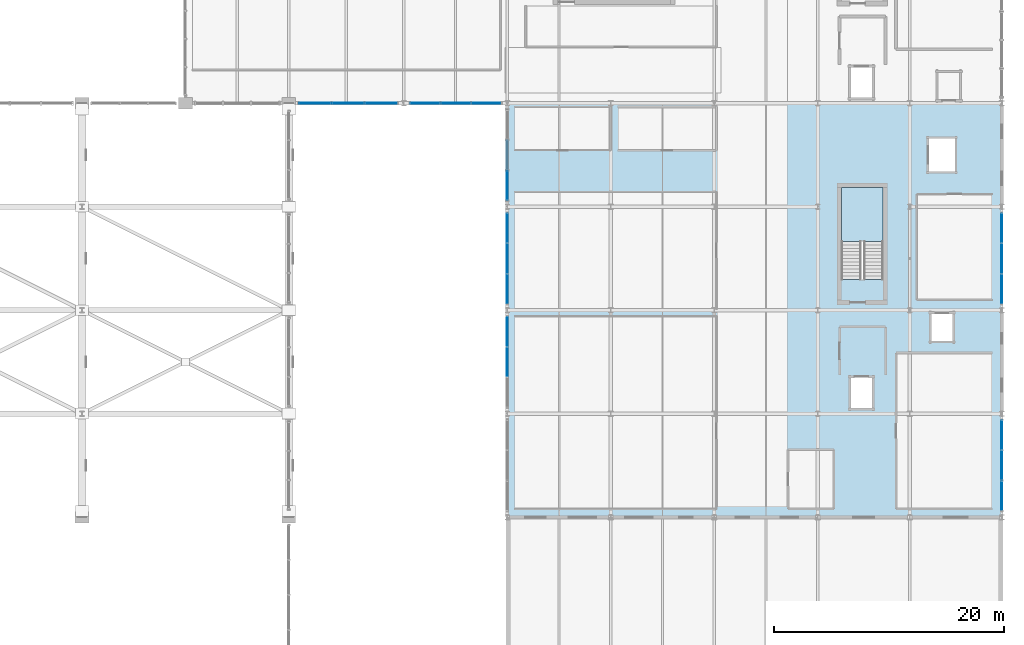
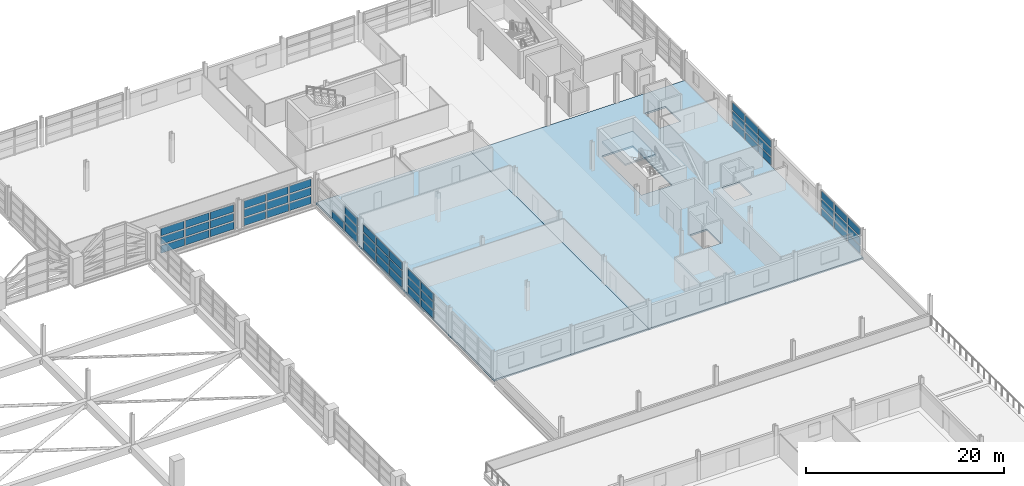
# One storey, part 95 of 116: 55 plates, 3 slabs, 8 elements without a shape of their own.
"""IFC4 building model written with IfcOpenShell, lengths in metres."""

from ifc_helpers import new_model, si_unit, direction, frame, origin, origin_2d, place, context, subcontext, project, spatial, polyline, rectangle, outline, extrude, material, layer, layer_set, type_object, element, aggregate, save


model = new_model("IFC4")

# Units and contexts
model_context = context("Model", 3, precision=1e-05, world=origin(), true_north=direction((0.0, 1.0)))
body_context = subcontext(model_context, "Body", "Model", "MODEL_VIEW")
ifc_project = project(units=[si_unit("LENGTHUNIT", "METRE"), si_unit("AREAUNIT", "SQUARE_METRE"), si_unit("VOLUMEUNIT", "CUBIC_METRE"), si_unit("PLANEANGLEUNIT", "RADIAN"), si_unit("MASSUNIT", "GRAM", prefix="KILO")], contexts=[model_context])

# Site, building, storey
site_placement = place(None, origin())
site = spatial("IfcSite", under=ifc_project, at=site_placement, CompositionType="ELEMENT")
building_placement = place(site_placement, origin())
building = spatial("IfcBuilding", under=site, at=building_placement, Name="Chuanluo Vaults Station", CompositionType="ELEMENT")
storey_placement = place(building_placement, frame((0.0, 0.0, 10.800048828125)))
storey = spatial("IfcBuildingStorey", under=building, at=storey_placement, Name="L02", CompositionType="ELEMENT", Elevation=10.800048828125)

# Curtain wall, plates
ifc_material_1 = material(Name="Anodised aluminium 6063-T6", Category="aluminium")
curtain_wall_type_1 = type_object("IfcCurtainWallType", Name="CW-SYS-03", PredefinedType="NOTDEFINED", material=ifc_material_1)
curtain_wall_1_placement = place(storey_placement, origin())
curtain_wall_1 = element("IfcCurtainWall", 1, at=curtain_wall_1_placement, inside=storey, type_object=curtain_wall_type_1, Name="Operations L02 facade CW", PredefinedType="NOTDEFINED")
ifc_material_2 = material(Name="Ceramic-fritted spandrel glass", Category="glass")
ifc_layer_1 = layer(ifc_material_2, 0.06396484375)
ifc_layer_set_1 = layer_set([ifc_layer_1], Name="Ceramic-fritted spandrel glass")
plate_type_1 = type_object("IfcPlateType", Name="CWP-SPN-42", PredefinedType="SHEET", material=ifc_layer_set_1)
plate_1_placement = place(storey_placement, frame((145.0, 81.0, 0.079833984375), z_axis=(0.0, 0.0, 1.0), x_axis=(0.0, 1.0, 0.0)))
plate_1 = element("IfcPlate", 2, at=plate_1_placement, type_object=plate_type_1, Name="Operations L02 facade CW glazed panel 2.1", PredefinedType="SHEET", context=body_context, shape_type="SweptSolid", body=[
    extrude(rectangle(XDim=2.489990234375, YDim=0.06396484375, at=origin_2d()), origin(), (0.0, 0.0, 1.0), 0.90673828125),
])
plate_2_placement = place(storey_placement, frame((145.0, 83.64990234375, 0.079833984375), z_axis=(0.0, 0.0, 1.0), x_axis=(0.0, 1.0, 0.0)))
plate_2 = element("IfcPlate", 3, at=plate_2_placement, type_object=plate_type_1, Name="Operations L02 facade CW glazed panel 3.1", PredefinedType="SHEET", context=body_context, shape_type="SweptSolid", body=[
    extrude(rectangle(XDim=2.489990234375, YDim=0.06396484375, at=origin_2d()), origin(), (0.0, 0.0, 1.0), 0.90673828125),
])

ifc_material_3 = material(Name="Anodised aluminium 6063-T6", Category="aluminium")
curtain_wall_type_2 = type_object("IfcCurtainWallType", Name="CW-SYS-05", PredefinedType="NOTDEFINED", material=ifc_material_3)
curtain_wall_2_placement = place(storey_placement, origin())
curtain_wall_2 = element("IfcCurtainWall", 4, at=curtain_wall_2_placement, inside=storey, type_object=curtain_wall_type_2, Name="Operations L02 facade CW", PredefinedType="NOTDEFINED")
plate_3_placement = place(storey_placement, frame((145.0, 96.35009765625, 0.079833984375), z_axis=(0.0, 0.0, 1.0), x_axis=(0.0, 1.0, 0.0)))
plate_3 = element("IfcPlate", 5, at=plate_3_placement, type_object=plate_type_1, Name="Operations L02 facade CW glazed panel 1.1", PredefinedType="SHEET", context=body_context, shape_type="SweptSolid", body=[
    extrude(rectangle(XDim=2.489990234375, YDim=0.06396484375, at=origin_2d()), origin(), (0.0, 0.0, 1.0), 0.90673828125),
])
plate_4_placement = place(storey_placement, frame((145.0, 99.0, 0.079833984375), z_axis=(0.0, 0.0, 1.0), x_axis=(0.0, 1.0, 0.0)))
plate_4 = element("IfcPlate", 6, at=plate_4_placement, type_object=plate_type_1, Name="Operations L02 facade CW glazed panel 2.1", PredefinedType="SHEET", context=body_context, shape_type="SweptSolid", body=[
    extrude(rectangle(XDim=2.489990234375, YDim=0.06396484375, at=origin_2d()), origin(), (0.0, 0.0, 1.0), 0.90673828125),
])

ifc_material_4 = material(Name="Anodised aluminium 6063-T6", Category="aluminium")
curtain_wall_type_3 = type_object("IfcCurtainWallType", Name="CW-SYS-07", PredefinedType="NOTDEFINED", material=ifc_material_4)
curtain_wall_3_placement = place(storey_placement, origin())
curtain_wall_3 = element("IfcCurtainWall", 7, at=curtain_wall_3_placement, inside=storey, type_object=curtain_wall_type_3, Name="Operations L02 facade CW part 2", PredefinedType="NOTDEFINED")
plate_5_placement = place(storey_placement, frame((134.033203125, 103.5, 0.079833984375), z_axis=(0.0, 0.0, 1.0), x_axis=(-1.0, 0.0, 0.0)))
plate_5 = element("IfcPlate", 8, at=plate_5_placement, type_object=plate_type_1, Name="Operations L02 facade CW part 2 glazed panel 1.1", PredefinedType="SHEET", context=body_context, shape_type="SweptSolid", body=[
    extrude(rectangle(XDim=2.723388671875, YDim=0.06396484375, at=origin_2d()), origin(), (0.0, 0.0, 1.0), 0.90673828125),
])
plate_6_placement = place(storey_placement, frame((131.14990234375, 103.5, 0.079833984375), z_axis=(0.0, 0.0, 1.0), x_axis=(-1.0, 0.0, 0.0)))
plate_6 = element("IfcPlate", 9, at=plate_6_placement, type_object=plate_type_1, Name="Operations L02 facade CW part 2 glazed panel 2.1", PredefinedType="SHEET", context=body_context, shape_type="SweptSolid", body=[
    extrude(rectangle(XDim=2.723388671875, YDim=0.06396484375, at=origin_2d()), origin(), (0.0, 0.0, 1.0), 0.90673828125),
])
plate_7_placement = place(storey_placement, frame((128.2666015625, 103.5, 0.079833984375), z_axis=(0.0, 0.0, 1.0), x_axis=(-1.0, 0.0, 0.0)))
plate_7 = element("IfcPlate", 10, at=plate_7_placement, type_object=plate_type_1, Name="Operations L02 facade CW part 2 glazed panel 3.1", PredefinedType="SHEET", context=body_context, shape_type="SweptSolid", body=[
    extrude(rectangle(XDim=2.723388671875, YDim=0.06396484375, at=origin_2d()), origin(), (0.0, 0.0, 1.0), 0.90673828125),
])

ifc_material_5 = material(Name="Anodised aluminium 6063-T6", Category="aluminium")
curtain_wall_type_4 = type_object("IfcCurtainWallType", Name="CW-SYS-15", PredefinedType="NOTDEFINED", material=ifc_material_5)
curtain_wall_4_placement = place(storey_placement, origin())
curtain_wall_4 = element("IfcCurtainWall", 11, at=curtain_wall_4_placement, inside=storey, type_object=curtain_wall_type_4, Name="Operations L02 facade CW", PredefinedType="NOTDEFINED")
plate_8_placement = place(storey_placement, frame((188.0, 74.64990234375, 0.079833984375), z_axis=(0.0, 0.0, 1.0), x_axis=(0.0, -1.0, 0.0)))
plate_8 = element("IfcPlate", 12, at=plate_8_placement, type_object=plate_type_1, Name="Operations L02 facade CW glazed panel 1.1", PredefinedType="SHEET", context=body_context, shape_type="SweptSolid", body=[
    extrude(rectangle(XDim=2.489990234375, YDim=0.06396484375, at=origin_2d()), origin(), (0.0, 0.0, 1.0), 0.90673828125),
])
plate_9_placement = place(storey_placement, frame((188.0, 72.0, 0.079833984375), z_axis=(0.0, 0.0, 1.0), x_axis=(0.0, -1.0, 0.0)))
plate_9 = element("IfcPlate", 13, at=plate_9_placement, type_object=plate_type_1, Name="Operations L02 facade CW glazed panel 2.1", PredefinedType="SHEET", context=body_context, shape_type="SweptSolid", body=[
    extrude(rectangle(XDim=2.489990234375, YDim=0.06396484375, at=origin_2d()), origin(), (0.0, 0.0, 1.0), 0.90673828125),
])
plate_10_placement = place(storey_placement, frame((188.0, 69.35009765625, 0.079833984375), z_axis=(0.0, 0.0, 1.0), x_axis=(0.0, -1.0, 0.0)))
plate_10 = element("IfcPlate", 14, at=plate_10_placement, type_object=plate_type_1, Name="Operations L02 facade CW glazed panel 3.1", PredefinedType="SHEET", context=body_context, shape_type="SweptSolid", body=[
    extrude(rectangle(XDim=2.489990234375, YDim=0.06396484375, at=origin_2d()), origin(), (0.0, 0.0, 1.0), 0.90673828125),
])

ifc_material_6 = material(Name="Anodised aluminium 6063-T6", Category="aluminium")
curtain_wall_type_5 = type_object("IfcCurtainWallType", Name="CW-SYS-04", PredefinedType="NOTDEFINED", material=ifc_material_6)
curtain_wall_5_placement = place(storey_placement, origin())
curtain_wall_5 = element("IfcCurtainWall", 15, at=curtain_wall_5_placement, inside=storey, type_object=curtain_wall_type_5, Name="Operations L02 facade CW", PredefinedType="NOTDEFINED")
ifc_material_7 = material(Name="Ceramic-fritted spandrel glass", Category="glass")
ifc_layer_2 = layer(ifc_material_7, 0.070068359375)
ifc_layer_set_2 = layer_set([ifc_layer_2], Name="Ceramic-fritted spandrel glass")
plate_type_2 = type_object("IfcPlateType", Name="CWP-SPN-50", PredefinedType="SHEET", material=ifc_layer_set_2)
plate_11_placement = place(storey_placement, frame((145.0, 87.35009765625, 0.079833984375), z_axis=(0.0, 0.0, 1.0), x_axis=(0.0, 1.0, 0.0)))
plate_11 = element("IfcPlate", 16, at=plate_11_placement, type_object=plate_type_2, Name="Operations L02 facade CW glazed panel 1.1", PredefinedType="SHEET", context=body_context, shape_type="SweptSolid", body=[
    extrude(rectangle(XDim=2.489990234375, YDim=0.070068359375, at=origin_2d()), origin(), (0.0, 0.0, 1.0), 0.90673828125),
])
plate_12_placement = place(storey_placement, frame((145.0, 90.0, 0.079833984375), z_axis=(0.0, 0.0, 1.0), x_axis=(0.0, 1.0, 0.0)))
plate_12 = element("IfcPlate", 17, at=plate_12_placement, type_object=plate_type_2, Name="Operations L02 facade CW glazed panel 2.1", PredefinedType="SHEET", context=body_context, shape_type="SweptSolid", body=[
    extrude(rectangle(XDim=2.489990234375, YDim=0.070068359375, at=origin_2d()), origin(), (0.0, 0.0, 1.0), 0.90673828125),
])
plate_13_placement = place(storey_placement, frame((145.0, 92.64990234375, 0.079833984375), z_axis=(0.0, 0.0, 1.0), x_axis=(0.0, 1.0, 0.0)))
plate_13 = element("IfcPlate", 18, at=plate_13_placement, type_object=plate_type_2, Name="Operations L02 facade CW glazed panel 3.1", PredefinedType="SHEET", context=body_context, shape_type="SweptSolid", body=[
    extrude(rectangle(XDim=2.489990234375, YDim=0.070068359375, at=origin_2d()), origin(), (0.0, 0.0, 1.0), 0.90673828125),
])

ifc_material_8 = material(Name="Anodised aluminium 6063-T6", Category="aluminium")
curtain_wall_type_6 = type_object("IfcCurtainWallType", Name="CW-SYS-06", PredefinedType="NOTDEFINED", material=ifc_material_8)
curtain_wall_6_placement = place(storey_placement, origin())
curtain_wall_6 = element("IfcCurtainWall", 19, at=curtain_wall_6_placement, inside=storey, type_object=curtain_wall_type_6, Name="Operations L02 facade CW part 1", PredefinedType="NOTDEFINED")
plate_14_placement = place(storey_placement, frame((143.14990234375, 103.5, 0.079833984375), z_axis=(0.0, 0.0, 1.0), x_axis=(-1.0, 0.0, 0.0)))
plate_14 = element("IfcPlate", 20, at=plate_14_placement, type_object=plate_type_2, Name="Operations L02 facade CW part 1 glazed panel 1.1", PredefinedType="SHEET", context=body_context, shape_type="SweptSolid", body=[
    extrude(rectangle(XDim=2.489990234375, YDim=0.070068359375, at=origin_2d()), origin(), (0.0, 0.0, 1.0), 0.90673828125),
])
plate_15_placement = place(storey_placement, frame((140.5, 103.5, 0.079833984375), z_axis=(0.0, 0.0, 1.0), x_axis=(-1.0, 0.0, 0.0)))
plate_15 = element("IfcPlate", 21, at=plate_15_placement, type_object=plate_type_2, Name="Operations L02 facade CW part 1 glazed panel 2.1", PredefinedType="SHEET", context=body_context, shape_type="SweptSolid", body=[
    extrude(rectangle(XDim=2.489990234375, YDim=0.070068359375, at=origin_2d()), origin(), (0.0, 0.0, 1.0), 0.90673828125),
])
plate_16_placement = place(storey_placement, frame((137.85009765625, 103.5, 0.079833984375), z_axis=(0.0, 0.0, 1.0), x_axis=(-1.0, 0.0, 0.0)))
plate_16 = element("IfcPlate", 22, at=plate_16_placement, type_object=plate_type_2, Name="Operations L02 facade CW part 1 glazed panel 3.1", PredefinedType="SHEET", context=body_context, shape_type="SweptSolid", body=[
    extrude(rectangle(XDim=2.489990234375, YDim=0.070068359375, at=origin_2d()), origin(), (0.0, 0.0, 1.0), 0.90673828125),
])

ifc_material_9 = material(Name="Anodised aluminium 6063-T6", Category="aluminium")
curtain_wall_type_7 = type_object("IfcCurtainWallType", Name="CW-SYS-16", PredefinedType="NOTDEFINED", material=ifc_material_9)
curtain_wall_7_placement = place(storey_placement, origin())
curtain_wall_7 = element("IfcCurtainWall", 23, at=curtain_wall_7_placement, inside=storey, type_object=curtain_wall_type_7, Name="Operations L02 facade CW", PredefinedType="NOTDEFINED")
plate_17_placement = place(storey_placement, frame((188.0, 92.64990234375, 0.079833984375), z_axis=(0.0, 0.0, 1.0), x_axis=(0.0, -1.0, 0.0)))
plate_17 = element("IfcPlate", 24, at=plate_17_placement, type_object=plate_type_2, Name="Operations L02 facade CW glazed panel 1.1", PredefinedType="SHEET", context=body_context, shape_type="SweptSolid", body=[
    extrude(rectangle(XDim=2.489990234375, YDim=0.070068359375, at=origin_2d()), origin(), (0.0, 0.0, 1.0), 0.90673828125),
])
plate_18_placement = place(storey_placement, frame((188.0, 90.0, 0.079833984375), z_axis=(0.0, 0.0, 1.0), x_axis=(0.0, -1.0, 0.0)))
plate_18 = element("IfcPlate", 25, at=plate_18_placement, type_object=plate_type_2, Name="Operations L02 facade CW glazed panel 2.1", PredefinedType="SHEET", context=body_context, shape_type="SweptSolid", body=[
    extrude(rectangle(XDim=2.489990234375, YDim=0.070068359375, at=origin_2d()), origin(), (0.0, 0.0, 1.0), 0.90673828125),
])
plate_19_placement = place(storey_placement, frame((188.0, 87.35009765625, 0.079833984375), z_axis=(0.0, 0.0, 1.0), x_axis=(0.0, -1.0, 0.0)))
plate_19 = element("IfcPlate", 26, at=plate_19_placement, type_object=plate_type_2, Name="Operations L02 facade CW glazed panel 3.1", PredefinedType="SHEET", context=body_context, shape_type="SweptSolid", body=[
    extrude(rectangle(XDim=2.489990234375, YDim=0.070068359375, at=origin_2d()), origin(), (0.0, 0.0, 1.0), 0.90673828125),
])

# Plate
ifc_material_10 = material(Name="Double-silver Low-E laminated glass", Category="glass")
ifc_layer_3 = layer(ifc_material_10, 0.0439453125)
ifc_layer_set_3 = layer_set([ifc_layer_3], Name="Double-silver Low-E laminated glass")
plate_type_3 = type_object("IfcPlateType", Name="CWP-VIS-28", PredefinedType="CURTAIN_PANEL", material=ifc_layer_set_3)
plate_20_placement = place(storey_placement, frame((145.0, 87.35009765625, 1.146484375), z_axis=(0.0, 0.0, 1.0), x_axis=(0.0, 1.0, 0.0)))
plate_20 = element("IfcPlate", 27, at=plate_20_placement, type_object=plate_type_3, Name="Operations L02 facade CW glazed panel 1.2", PredefinedType="CURTAIN_PANEL", context=body_context, shape_type="SweptSolid", body=[
    extrude(rectangle(XDim=2.489990234375, YDim=0.0439453125, at=origin_2d()), origin(), (0.0, 0.0, 1.0), 0.906494140625),
])

plate_21_placement = place(storey_placement, frame((145.0, 87.35009765625, 2.213134765625), z_axis=(0.0, 0.0, 1.0), x_axis=(0.0, 1.0, 0.0)))
plate_21 = element("IfcPlate", 28, at=plate_21_placement, type_object=plate_type_3, Name="Operations L02 facade CW glazed panel 1.3", PredefinedType="CURTAIN_PANEL", context=body_context, shape_type="SweptSolid", body=[
    extrude(rectangle(XDim=2.489990234375, YDim=0.0439453125, at=origin_2d()), origin(), (0.0, 0.0, 1.0), 0.90673828125),
])

plate_22_placement = place(storey_placement, frame((145.0, 90.0, 1.146484375), z_axis=(0.0, 0.0, 1.0), x_axis=(0.0, 1.0, 0.0)))
plate_22 = element("IfcPlate", 29, at=plate_22_placement, type_object=plate_type_3, Name="Operations L02 facade CW glazed panel 2.2", PredefinedType="CURTAIN_PANEL", context=body_context, shape_type="SweptSolid", body=[
    extrude(rectangle(XDim=2.489990234375, YDim=0.0439453125, at=origin_2d()), origin(), (0.0, 0.0, 1.0), 0.906494140625),
])

plate_23_placement = place(storey_placement, frame((145.0, 90.0, 2.213134765625), z_axis=(0.0, 0.0, 1.0), x_axis=(0.0, 1.0, 0.0)))
plate_23 = element("IfcPlate", 30, at=plate_23_placement, type_object=plate_type_3, Name="Operations L02 facade CW glazed panel 2.3", PredefinedType="CURTAIN_PANEL", context=body_context, shape_type="SweptSolid", body=[
    extrude(rectangle(XDim=2.489990234375, YDim=0.0439453125, at=origin_2d()), origin(), (0.0, 0.0, 1.0), 0.90673828125),
])

plate_24_placement = place(storey_placement, frame((145.0, 92.64990234375, 1.146484375), z_axis=(0.0, 0.0, 1.0), x_axis=(0.0, 1.0, 0.0)))
plate_24 = element("IfcPlate", 31, at=plate_24_placement, type_object=plate_type_3, Name="Operations L02 facade CW glazed panel 3.2", PredefinedType="CURTAIN_PANEL", context=body_context, shape_type="SweptSolid", body=[
    extrude(rectangle(XDim=2.489990234375, YDim=0.0439453125, at=origin_2d()), origin(), (0.0, 0.0, 1.0), 0.906494140625),
])

plate_25_placement = place(storey_placement, frame((145.0, 92.64990234375, 2.213134765625), z_axis=(0.0, 0.0, 1.0), x_axis=(0.0, 1.0, 0.0)))
plate_25 = element("IfcPlate", 32, at=plate_25_placement, type_object=plate_type_3, Name="Operations L02 facade CW glazed panel 3.3", PredefinedType="CURTAIN_PANEL", context=body_context, shape_type="SweptSolid", body=[
    extrude(rectangle(XDim=2.489990234375, YDim=0.0439453125, at=origin_2d()), origin(), (0.0, 0.0, 1.0), 0.90673828125),
])

aggregate(curtain_wall_5, [plate_11, plate_20, plate_21, plate_12, plate_22, plate_23, plate_13, plate_24, plate_25])

plate_26_placement = place(storey_placement, frame((188.0, 92.64990234375, 1.146484375), z_axis=(0.0, 0.0, 1.0), x_axis=(0.0, -1.0, 0.0)))
plate_26 = element("IfcPlate", 33, at=plate_26_placement, type_object=plate_type_3, Name="Operations L02 facade CW glazed panel 1.2", PredefinedType="CURTAIN_PANEL", context=body_context, shape_type="SweptSolid", body=[
    extrude(rectangle(XDim=2.489990234375, YDim=0.0439453125, at=origin_2d()), origin(), (0.0, 0.0, 1.0), 0.906494140625),
])

plate_27_placement = place(storey_placement, frame((188.0, 92.64990234375, 2.213134765625), z_axis=(0.0, 0.0, 1.0), x_axis=(0.0, -1.0, 0.0)))
plate_27 = element("IfcPlate", 34, at=plate_27_placement, type_object=plate_type_3, Name="Operations L02 facade CW glazed panel 1.3", PredefinedType="CURTAIN_PANEL", context=body_context, shape_type="SweptSolid", body=[
    extrude(rectangle(XDim=2.489990234375, YDim=0.0439453125, at=origin_2d()), origin(), (0.0, 0.0, 1.0), 0.90673828125),
])

plate_28_placement = place(storey_placement, frame((188.0, 90.0, 1.146484375), z_axis=(0.0, 0.0, 1.0), x_axis=(0.0, -1.0, 0.0)))
plate_28 = element("IfcPlate", 35, at=plate_28_placement, type_object=plate_type_3, Name="Operations L02 facade CW glazed panel 2.2", PredefinedType="CURTAIN_PANEL", context=body_context, shape_type="SweptSolid", body=[
    extrude(rectangle(XDim=2.489990234375, YDim=0.0439453125, at=origin_2d()), origin(), (0.0, 0.0, 1.0), 0.906494140625),
])

plate_29_placement = place(storey_placement, frame((188.0, 90.0, 2.213134765625), z_axis=(0.0, 0.0, 1.0), x_axis=(0.0, -1.0, 0.0)))
plate_29 = element("IfcPlate", 36, at=plate_29_placement, type_object=plate_type_3, Name="Operations L02 facade CW glazed panel 2.3", PredefinedType="CURTAIN_PANEL", context=body_context, shape_type="SweptSolid", body=[
    extrude(rectangle(XDim=2.489990234375, YDim=0.0439453125, at=origin_2d()), origin(), (0.0, 0.0, 1.0), 0.90673828125),
])

plate_30_placement = place(storey_placement, frame((188.0, 87.35009765625, 1.146484375), z_axis=(0.0, 0.0, 1.0), x_axis=(0.0, -1.0, 0.0)))
plate_30 = element("IfcPlate", 37, at=plate_30_placement, type_object=plate_type_3, Name="Operations L02 facade CW glazed panel 3.2", PredefinedType="CURTAIN_PANEL", context=body_context, shape_type="SweptSolid", body=[
    extrude(rectangle(XDim=2.489990234375, YDim=0.0439453125, at=origin_2d()), origin(), (0.0, 0.0, 1.0), 0.906494140625),
])

plate_31_placement = place(storey_placement, frame((188.0, 87.35009765625, 2.213134765625), z_axis=(0.0, 0.0, 1.0), x_axis=(0.0, -1.0, 0.0)))
plate_31 = element("IfcPlate", 38, at=plate_31_placement, type_object=plate_type_3, Name="Operations L02 facade CW glazed panel 3.3", PredefinedType="CURTAIN_PANEL", context=body_context, shape_type="SweptSolid", body=[
    extrude(rectangle(XDim=2.489990234375, YDim=0.0439453125, at=origin_2d()), origin(), (0.0, 0.0, 1.0), 0.90673828125),
])

aggregate(curtain_wall_7, [plate_17, plate_26, plate_27, plate_18, plate_28, plate_29, plate_19, plate_30, plate_31])

ifc_material_11 = material(Name="Double-silver Low-E laminated glass", Category="glass")
ifc_layer_4 = layer(ifc_material_11, 0.048095703125)
ifc_layer_set_4 = layer_set([ifc_layer_4], Name="Double-silver Low-E laminated glass")
plate_type_4 = type_object("IfcPlateType", Name="CWP-VIS-32", PredefinedType="CURTAIN_PANEL", material=ifc_layer_set_4)
plate_32_placement = place(storey_placement, frame((145.0, 81.0, 1.146484375), z_axis=(0.0, 0.0, 1.0), x_axis=(0.0, 1.0, 0.0)))
plate_32 = element("IfcPlate", 39, at=plate_32_placement, type_object=plate_type_4, Name="Operations L02 facade CW glazed panel 2.2", PredefinedType="CURTAIN_PANEL", context=body_context, shape_type="SweptSolid", body=[
    extrude(rectangle(XDim=2.489990234375, YDim=0.048095703125, at=origin_2d()), origin(), (0.0, 0.0, 1.0), 0.906494140625),
])

plate_33_placement = place(storey_placement, frame((145.0, 81.0, 2.213134765625), z_axis=(0.0, 0.0, 1.0), x_axis=(0.0, 1.0, 0.0)))
plate_33 = element("IfcPlate", 40, at=plate_33_placement, type_object=plate_type_4, Name="Operations L02 facade CW glazed panel 2.3", PredefinedType="CURTAIN_PANEL", context=body_context, shape_type="SweptSolid", body=[
    extrude(rectangle(XDim=2.489990234375, YDim=0.048095703125, at=origin_2d()), origin(), (0.0, 0.0, 1.0), 0.90673828125),
])

plate_34_placement = place(storey_placement, frame((145.0, 83.64990234375, 1.146484375), z_axis=(0.0, 0.0, 1.0), x_axis=(0.0, 1.0, 0.0)))
plate_34 = element("IfcPlate", 41, at=plate_34_placement, type_object=plate_type_4, Name="Operations L02 facade CW glazed panel 3.2", PredefinedType="CURTAIN_PANEL", context=body_context, shape_type="SweptSolid", body=[
    extrude(rectangle(XDim=2.489990234375, YDim=0.048095703125, at=origin_2d()), origin(), (0.0, 0.0, 1.0), 0.906494140625),
])

plate_35_placement = place(storey_placement, frame((145.0, 83.64990234375, 2.213134765625), z_axis=(0.0, 0.0, 1.0), x_axis=(0.0, 1.0, 0.0)))
plate_35 = element("IfcPlate", 42, at=plate_35_placement, type_object=plate_type_4, Name="Operations L02 facade CW glazed panel 3.3", PredefinedType="CURTAIN_PANEL", context=body_context, shape_type="SweptSolid", body=[
    extrude(rectangle(XDim=2.489990234375, YDim=0.048095703125, at=origin_2d()), origin(), (0.0, 0.0, 1.0), 0.90673828125),
])

aggregate(curtain_wall_1, [plate_1, plate_32, plate_33, plate_2, plate_34, plate_35])

plate_36_placement = place(storey_placement, frame((134.033203125, 103.5, 1.146484375), z_axis=(0.0, 0.0, 1.0), x_axis=(-1.0, 0.0, 0.0)))
plate_36 = element("IfcPlate", 43, at=plate_36_placement, type_object=plate_type_4, Name="Operations L02 facade CW part 2 glazed panel 1.2", PredefinedType="CURTAIN_PANEL", context=body_context, shape_type="SweptSolid", body=[
    extrude(rectangle(XDim=2.723388671875, YDim=0.048095703125, at=origin_2d()), origin(), (0.0, 0.0, 1.0), 0.906494140625),
])

plate_37_placement = place(storey_placement, frame((134.033203125, 103.5, 2.213134765625), z_axis=(0.0, 0.0, 1.0), x_axis=(-1.0, 0.0, 0.0)))
plate_37 = element("IfcPlate", 44, at=plate_37_placement, type_object=plate_type_4, Name="Operations L02 facade CW part 2 glazed panel 1.3", PredefinedType="CURTAIN_PANEL", context=body_context, shape_type="SweptSolid", body=[
    extrude(rectangle(XDim=2.723388671875, YDim=0.048095703125, at=origin_2d()), origin(), (0.0, 0.0, 1.0), 0.90673828125),
])

plate_38_placement = place(storey_placement, frame((131.14990234375, 103.5, 1.146484375), z_axis=(0.0, 0.0, 1.0), x_axis=(-1.0, 0.0, 0.0)))
plate_38 = element("IfcPlate", 45, at=plate_38_placement, type_object=plate_type_4, Name="Operations L02 facade CW part 2 glazed panel 2.2", PredefinedType="CURTAIN_PANEL", context=body_context, shape_type="SweptSolid", body=[
    extrude(rectangle(XDim=2.723388671875, YDim=0.048095703125, at=origin_2d()), origin(), (0.0, 0.0, 1.0), 0.906494140625),
])

plate_39_placement = place(storey_placement, frame((131.14990234375, 103.5, 2.213134765625), z_axis=(0.0, 0.0, 1.0), x_axis=(-1.0, 0.0, 0.0)))
plate_39 = element("IfcPlate", 46, at=plate_39_placement, type_object=plate_type_4, Name="Operations L02 facade CW part 2 glazed panel 2.3", PredefinedType="CURTAIN_PANEL", context=body_context, shape_type="SweptSolid", body=[
    extrude(rectangle(XDim=2.723388671875, YDim=0.048095703125, at=origin_2d()), origin(), (0.0, 0.0, 1.0), 0.90673828125),
])

plate_40_placement = place(storey_placement, frame((128.2666015625, 103.5, 1.146484375), z_axis=(0.0, 0.0, 1.0), x_axis=(-1.0, 0.0, 0.0)))
plate_40 = element("IfcPlate", 47, at=plate_40_placement, type_object=plate_type_4, Name="Operations L02 facade CW part 2 glazed panel 3.2", PredefinedType="CURTAIN_PANEL", context=body_context, shape_type="SweptSolid", body=[
    extrude(rectangle(XDim=2.723388671875, YDim=0.048095703125, at=origin_2d()), origin(), (0.0, 0.0, 1.0), 0.906494140625),
])

plate_41_placement = place(storey_placement, frame((128.2666015625, 103.5, 2.213134765625), z_axis=(0.0, 0.0, 1.0), x_axis=(-1.0, 0.0, 0.0)))
plate_41 = element("IfcPlate", 48, at=plate_41_placement, type_object=plate_type_4, Name="Operations L02 facade CW part 2 glazed panel 3.3", PredefinedType="CURTAIN_PANEL", context=body_context, shape_type="SweptSolid", body=[
    extrude(rectangle(XDim=2.723388671875, YDim=0.048095703125, at=origin_2d()), origin(), (0.0, 0.0, 1.0), 0.90673828125),
])

aggregate(curtain_wall_3, [plate_5, plate_36, plate_37, plate_6, plate_38, plate_39, plate_7, plate_40, plate_41])

plate_42_placement = place(storey_placement, frame((188.0, 74.64990234375, 1.146484375), z_axis=(0.0, 0.0, 1.0), x_axis=(0.0, -1.0, 0.0)))
plate_42 = element("IfcPlate", 49, at=plate_42_placement, type_object=plate_type_4, Name="Operations L02 facade CW glazed panel 1.2", PredefinedType="CURTAIN_PANEL", context=body_context, shape_type="SweptSolid", body=[
    extrude(rectangle(XDim=2.489990234375, YDim=0.048095703125, at=origin_2d()), origin(), (0.0, 0.0, 1.0), 0.906494140625),
])

plate_43_placement = place(storey_placement, frame((188.0, 74.64990234375, 2.213134765625), z_axis=(0.0, 0.0, 1.0), x_axis=(0.0, -1.0, 0.0)))
plate_43 = element("IfcPlate", 50, at=plate_43_placement, type_object=plate_type_4, Name="Operations L02 facade CW glazed panel 1.3", PredefinedType="CURTAIN_PANEL", context=body_context, shape_type="SweptSolid", body=[
    extrude(rectangle(XDim=2.489990234375, YDim=0.048095703125, at=origin_2d()), origin(), (0.0, 0.0, 1.0), 0.90673828125),
])

plate_44_placement = place(storey_placement, frame((188.0, 72.0, 1.146484375), z_axis=(0.0, 0.0, 1.0), x_axis=(0.0, -1.0, 0.0)))
plate_44 = element("IfcPlate", 51, at=plate_44_placement, type_object=plate_type_4, Name="Operations L02 facade CW glazed panel 2.2", PredefinedType="CURTAIN_PANEL", context=body_context, shape_type="SweptSolid", body=[
    extrude(rectangle(XDim=2.489990234375, YDim=0.048095703125, at=origin_2d()), origin(), (0.0, 0.0, 1.0), 0.906494140625),
])

plate_45_placement = place(storey_placement, frame((188.0, 72.0, 2.213134765625), z_axis=(0.0, 0.0, 1.0), x_axis=(0.0, -1.0, 0.0)))
plate_45 = element("IfcPlate", 52, at=plate_45_placement, type_object=plate_type_4, Name="Operations L02 facade CW glazed panel 2.3", PredefinedType="CURTAIN_PANEL", context=body_context, shape_type="SweptSolid", body=[
    extrude(rectangle(XDim=2.489990234375, YDim=0.048095703125, at=origin_2d()), origin(), (0.0, 0.0, 1.0), 0.90673828125),
])

plate_46_placement = place(storey_placement, frame((188.0, 69.35009765625, 1.146484375), z_axis=(0.0, 0.0, 1.0), x_axis=(0.0, -1.0, 0.0)))
plate_46 = element("IfcPlate", 53, at=plate_46_placement, type_object=plate_type_4, Name="Operations L02 facade CW glazed panel 3.2", PredefinedType="CURTAIN_PANEL", context=body_context, shape_type="SweptSolid", body=[
    extrude(rectangle(XDim=2.489990234375, YDim=0.048095703125, at=origin_2d()), origin(), (0.0, 0.0, 1.0), 0.906494140625),
])

plate_47_placement = place(storey_placement, frame((188.0, 69.35009765625, 2.213134765625), z_axis=(0.0, 0.0, 1.0), x_axis=(0.0, -1.0, 0.0)))
plate_47 = element("IfcPlate", 54, at=plate_47_placement, type_object=plate_type_4, Name="Operations L02 facade CW glazed panel 3.3", PredefinedType="CURTAIN_PANEL", context=body_context, shape_type="SweptSolid", body=[
    extrude(rectangle(XDim=2.489990234375, YDim=0.048095703125, at=origin_2d()), origin(), (0.0, 0.0, 1.0), 0.90673828125),
])

aggregate(curtain_wall_4, [plate_8, plate_42, plate_43, plate_9, plate_44, plate_45, plate_10, plate_46, plate_47])

ifc_material_12 = material(Name="Double-silver Low-E laminated glass", Category="glass")
ifc_layer_5 = layer(ifc_material_12, 0.053955078125)
ifc_layer_set_5 = layer_set([ifc_layer_5], Name="Double-silver Low-E laminated glass")
plate_type_5 = type_object("IfcPlateType", Name="CWP-VIS-36", PredefinedType="CURTAIN_PANEL", material=ifc_layer_set_5)
plate_48_placement = place(storey_placement, frame((143.14990234375, 103.5, 1.146484375), z_axis=(0.0, 0.0, 1.0), x_axis=(-1.0, 0.0, 0.0)))
plate_48 = element("IfcPlate", 55, at=plate_48_placement, type_object=plate_type_5, Name="Operations L02 facade CW part 1 glazed panel 1.2", PredefinedType="CURTAIN_PANEL", context=body_context, shape_type="SweptSolid", body=[
    extrude(rectangle(XDim=2.489990234375, YDim=0.053955078125, at=origin_2d()), origin(), (0.0, 0.0, 1.0), 0.906494140625),
])

plate_49_placement = place(storey_placement, frame((143.14990234375, 103.5, 2.213134765625), z_axis=(0.0, 0.0, 1.0), x_axis=(-1.0, 0.0, 0.0)))
plate_49 = element("IfcPlate", 56, at=plate_49_placement, type_object=plate_type_5, Name="Operations L02 facade CW part 1 glazed panel 1.3", PredefinedType="CURTAIN_PANEL", context=body_context, shape_type="SweptSolid", body=[
    extrude(rectangle(XDim=2.489990234375, YDim=0.053955078125, at=origin_2d()), origin(), (0.0, 0.0, 1.0), 0.90673828125),
])

plate_50_placement = place(storey_placement, frame((140.5, 103.5, 1.146484375), z_axis=(0.0, 0.0, 1.0), x_axis=(-1.0, 0.0, 0.0)))
plate_50 = element("IfcPlate", 57, at=plate_50_placement, type_object=plate_type_5, Name="Operations L02 facade CW part 1 glazed panel 2.2", PredefinedType="CURTAIN_PANEL", context=body_context, shape_type="SweptSolid", body=[
    extrude(rectangle(XDim=2.489990234375, YDim=0.053955078125, at=origin_2d()), origin(), (0.0, 0.0, 1.0), 0.906494140625),
])

plate_51_placement = place(storey_placement, frame((140.5, 103.5, 2.213134765625), z_axis=(0.0, 0.0, 1.0), x_axis=(-1.0, 0.0, 0.0)))
plate_51 = element("IfcPlate", 58, at=plate_51_placement, type_object=plate_type_5, Name="Operations L02 facade CW part 1 glazed panel 2.3", PredefinedType="CURTAIN_PANEL", context=body_context, shape_type="SweptSolid", body=[
    extrude(rectangle(XDim=2.489990234375, YDim=0.053955078125, at=origin_2d()), origin(), (0.0, 0.0, 1.0), 0.90673828125),
])

plate_52_placement = place(storey_placement, frame((137.85009765625, 103.5, 1.146484375), z_axis=(0.0, 0.0, 1.0), x_axis=(-1.0, 0.0, 0.0)))
plate_52 = element("IfcPlate", 59, at=plate_52_placement, type_object=plate_type_5, Name="Operations L02 facade CW part 1 glazed panel 3.2", PredefinedType="CURTAIN_PANEL", context=body_context, shape_type="SweptSolid", body=[
    extrude(rectangle(XDim=2.489990234375, YDim=0.053955078125, at=origin_2d()), origin(), (0.0, 0.0, 1.0), 0.906494140625),
])

plate_53_placement = place(storey_placement, frame((137.85009765625, 103.5, 2.213134765625), z_axis=(0.0, 0.0, 1.0), x_axis=(-1.0, 0.0, 0.0)))
plate_53 = element("IfcPlate", 60, at=plate_53_placement, type_object=plate_type_5, Name="Operations L02 facade CW part 1 glazed panel 3.3", PredefinedType="CURTAIN_PANEL", context=body_context, shape_type="SweptSolid", body=[
    extrude(rectangle(XDim=2.489990234375, YDim=0.053955078125, at=origin_2d()), origin(), (0.0, 0.0, 1.0), 0.90673828125),
])

aggregate(curtain_wall_6, [plate_14, plate_48, plate_49, plate_15, plate_50, plate_51, plate_16, plate_52, plate_53])

ifc_material_13 = material(Name="Double-silver Low-E laminated glass", Category="glass")
ifc_layer_6 = layer(ifc_material_13, 0.05810546875)
ifc_layer_set_6 = layer_set([ifc_layer_6], Name="Double-silver Low-E laminated glass")
plate_type_6 = type_object("IfcPlateType", Name="CWP-VIS-38", PredefinedType="CURTAIN_PANEL", material=ifc_layer_set_6)
plate_54_placement = place(storey_placement, frame((145.0, 96.35009765625, 1.146484375), z_axis=(0.0, 0.0, 1.0), x_axis=(0.0, 1.0, 0.0)))
plate_54 = element("IfcPlate", 61, at=plate_54_placement, type_object=plate_type_6, Name="Operations L02 facade CW glazed panel 1.2", PredefinedType="CURTAIN_PANEL", context=body_context, shape_type="SweptSolid", body=[
    extrude(rectangle(XDim=2.489990234375, YDim=0.05810546875, at=origin_2d()), origin(), (0.0, 0.0, 1.0), 0.906494140625),
])

plate_55_placement = place(storey_placement, frame((145.0, 96.35009765625, 2.213134765625), z_axis=(0.0, 0.0, 1.0), x_axis=(0.0, 1.0, 0.0)))
plate_55 = element("IfcPlate", 62, at=plate_55_placement, type_object=plate_type_6, Name="Operations L02 facade CW glazed panel 1.3", PredefinedType="CURTAIN_PANEL", context=body_context, shape_type="SweptSolid", body=[
    extrude(rectangle(XDim=2.489990234375, YDim=0.05810546875, at=origin_2d()), origin(), (0.0, 0.0, 1.0), 0.90673828125),
])

aggregate(curtain_wall_2, [plate_3, plate_54, plate_55, plate_4])

# Stair, slab
ifc_material_14 = material(Name="Concrete C40", Category="concrete")
stair_type = type_object("IfcStairType", Name="STR-TWO-1600", PredefinedType="HALF_TURN_STAIR", material=ifc_material_14)
stair_placement = place(storey_placement, origin())
stair = element("IfcStair", 63, at=stair_placement, inside=storey, type_object=stair_type, Name="L02 ST-01", PredefinedType="HALF_TURN_STAIR")
ifc_material_15 = material(Name="Concrete C40", Category="concrete")
ifc_layer_7 = layer(ifc_material_15, 0.199951171875)
ifc_layer_set_7 = layer_set([ifc_layer_7], Name="Concrete C40")
slab_type_1 = type_object("IfcSlabType", Name="SLB-LND-200", PredefinedType="LANDING", material=ifc_layer_set_7)
slab_1_placement = place(storey_placement, frame((0.0, 0.0, 1.599853515625)))
slab_1 = element("IfcSlab", 64, at=slab_1_placement, type_object=slab_type_1, Name="ST-01 landing 1", PredefinedType="LANDING", context=body_context, shape_type="SweptSolid", body=[
    extrude(outline(polyline([(177.6875, 91.487548828125), (177.6875, 96.172607421875), (174.0673828125, 96.172607421875), (174.0673828125, 91.487548828125), (177.6875, 91.487548828125)])), origin(), (0.0, 0.0, 1.0), 0.2001953125),
])
aggregate(stair, [slab_1])

# Slabs
ifc_material_16 = material(Name="Concrete C40", Category="concrete")
ifc_layer_8 = layer(ifc_material_16, 0.219970703125)
ifc_layer_set_8 = layer_set([ifc_layer_8], Name="Concrete C40")
slab_type_2 = type_object("IfcSlabType", Name="SLB-OPS-220", PredefinedType="FLOOR", material=ifc_layer_set_8)
slab_2_placement = place(storey_placement, frame((0.0, 0.0, -0.219970703125)))
element("IfcSlab", 65, at=slab_2_placement, inside=storey, type_object=slab_type_2, Name="L02 OPS slab 01", PredefinedType="FLOOR", context=body_context, shape_type="SweptSolid", body=[
    extrude(outline(polyline([(145.0, 67.5), (163.0, 67.5), (163.0, 103.5), (145.0, 103.5), (145.0, 67.5)])), origin(), (0.0, 0.0, 1.0), 0.219970703125),
])
slab_3_placement = place(storey_placement, frame((0.0, 0.0, -0.219970703125)))
element("IfcSlab", 66, at=slab_3_placement, inside=storey, type_object=slab_type_2, Name="L02 OPS slab 03", PredefinedType="FLOOR", context=body_context, shape_type="SweptSolid", body=[
    extrude(outline(polyline([(163.0, 67.5), (188.0, 67.5), (188.0, 103.5), (163.0, 103.5), (163.0, 67.5)]), holes=[polyline([(177.6875, 88.19140625), (177.6875, 96.172607421875), (174.0673828125, 96.172607421875), (174.0673828125, 88.19140625), (177.6875, 88.19140625)]), polyline([(174.780029296875, 76.8798828125), (176.820068359375, 76.8798828125), (176.820068359375, 79.719970703125), (174.780029296875, 79.719970703125), (174.780029296875, 76.8798828125)]), polyline([(181.780029296875, 82.72998046875), (183.820068359375, 82.72998046875), (183.820068359375, 85.27001953125), (181.780029296875, 85.27001953125), (181.780029296875, 82.72998046875)]), polyline([(181.580078125, 97.47998046875), (184.02001953125, 97.47998046875), (184.02001953125, 100.52001953125), (181.580078125, 100.52001953125), (181.580078125, 97.47998046875)])]), origin(), (0.0, 0.0, 1.0), 0.219970703125),
])

save(model, "model.ifc")
